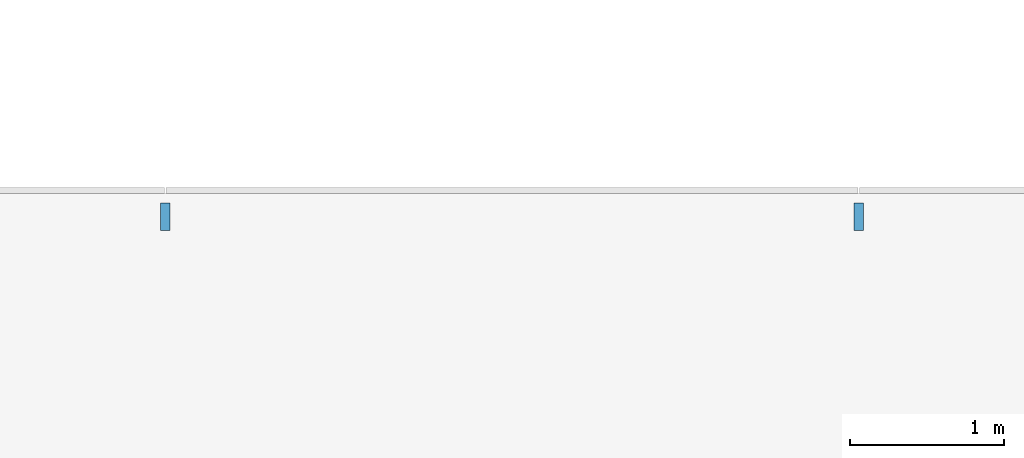
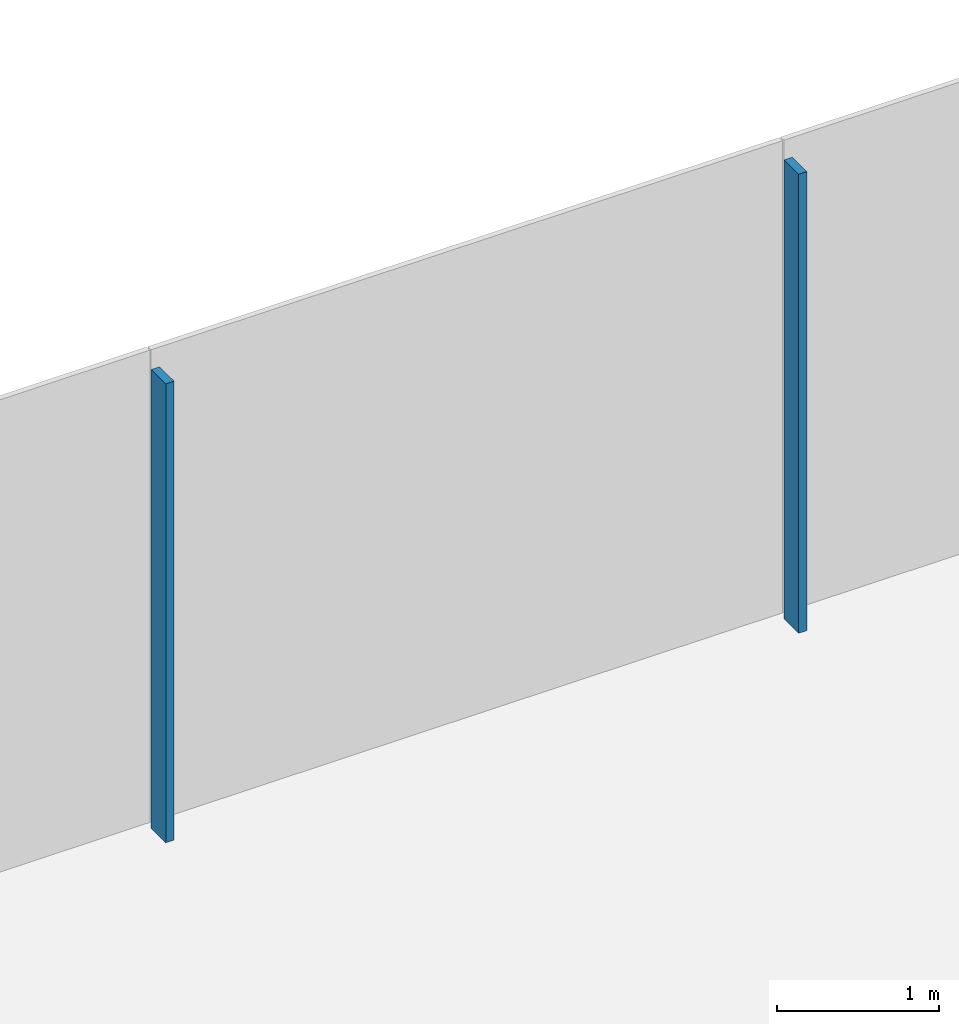
# One storey, part 5 of 20: 2 members, 1 element without a shape of its own.
"""IFC4 building model written with IfcOpenShell, lengths in metres."""

from ifc_helpers import new_model, si_unit, direction, frame, origin, origin_2d, place, context, subcontext, project, spatial, rectangle, extrude, material, layer, layer_set, material_profile, profile_set, type_object, element, aggregate, save


model = new_model("IFC4")

# Units and contexts
model_context = context("Model", 3, precision=1e-05, world=origin(), true_north=direction((0.0, 1.0)))
body_context = subcontext(model_context, "Body", "Model", "MODEL_VIEW")
ifc_project = project(units=[si_unit("LENGTHUNIT", "METRE"), si_unit("AREAUNIT", "SQUARE_METRE"), si_unit("VOLUMEUNIT", "CUBIC_METRE"), si_unit("PLANEANGLEUNIT", "RADIAN"), si_unit("MASSUNIT", "GRAM", prefix="KILO")], contexts=[model_context])

# Site, building, storey
site_placement = place(None, origin())
site = spatial("IfcSite", under=ifc_project, at=site_placement, CompositionType="ELEMENT")
building_placement = place(site_placement, origin())
building = spatial("IfcBuilding", under=site, at=building_placement, Name="Shamsa Quay Exchange Towers", CompositionType="ELEMENT")
storey_placement = place(building_placement, frame((0.0, 0.0, 124.800048828125)))
storey = spatial("IfcBuildingStorey", under=building, at=storey_placement, Name="L29", CompositionType="ELEMENT", Elevation=124.800048828125)

# Curtain wall, members
ifc_material = material(Name="Aluminium EN AW-6063 T6, black anodised", Category="aluminium")
ifc_layer = layer(ifc_material, 0.280029296875)
ifc_layer_set = layer_set([ifc_layer], Name="CW-1 UNITISED VISION GLASS")
curtain_wall_type = type_object("IfcCurtainWallType", Name="CW-1 UNITISED VISION GLASS", PredefinedType="NOTDEFINED", material=ifc_layer_set)
curtain_wall_placement = place(storey_placement, origin())
curtain_wall = element("IfcCurtainWall", 1, at=curtain_wall_placement, inside=storey, type_object=curtain_wall_type, Name="CW1 T1-END-V+ L29", PredefinedType="NOTDEFINED")
ifc_material_profile = material_profile(ifc_material, rectangle(XDim=0.179931640625, YDim=0.06005859375, at=origin_2d()), Name="MU60x180")
ifc_profile_set = profile_set([ifc_material_profile], Name="Aluminium EN AW-6063 T6, black anodised")
member_type = type_object("IfcMemberType", Name="CW1 MULLION 60x180", PredefinedType="MULLION", material=ifc_profile_set)
member_1_placement = place(storey_placement, frame((-31.5, 20.10009765625, 0.0), z_axis=(0.0, 0.0, 1.0), x_axis=(0.0, -1.0, 0.0)))
member_1 = element("IfcMember", 2, at=member_1_placement, type_object=member_type, Name="CW1 mullion", PredefinedType="MULLION", context=body_context, shape_type="SweptSolid", body=[
    extrude(rectangle(XDim=0.179931640625, YDim=0.06005859375, at=origin_2d()), origin(), (0.0, 0.0, 1.0), 3.449951171875),
])
member_2_placement = place(storey_placement, frame((-36.0, 20.10009765625, 0.0), z_axis=(0.0, 0.0, 1.0), x_axis=(0.0, -1.0, 0.0)))
member_2 = element("IfcMember", 3, at=member_2_placement, type_object=member_type, Name="CW1 mullion", PredefinedType="MULLION", context=body_context, shape_type="SweptSolid", body=[
    extrude(rectangle(XDim=0.179931640625, YDim=0.06005859375, at=origin_2d()), origin(), (0.0, 0.0, 1.0), 3.449951171875),
])
aggregate(curtain_wall, [member_1, member_2])

save(model, "model.ifc")
